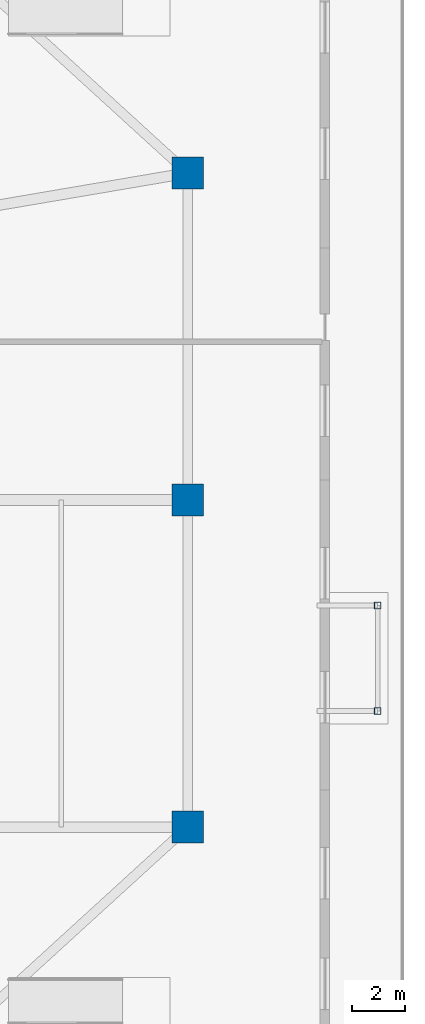
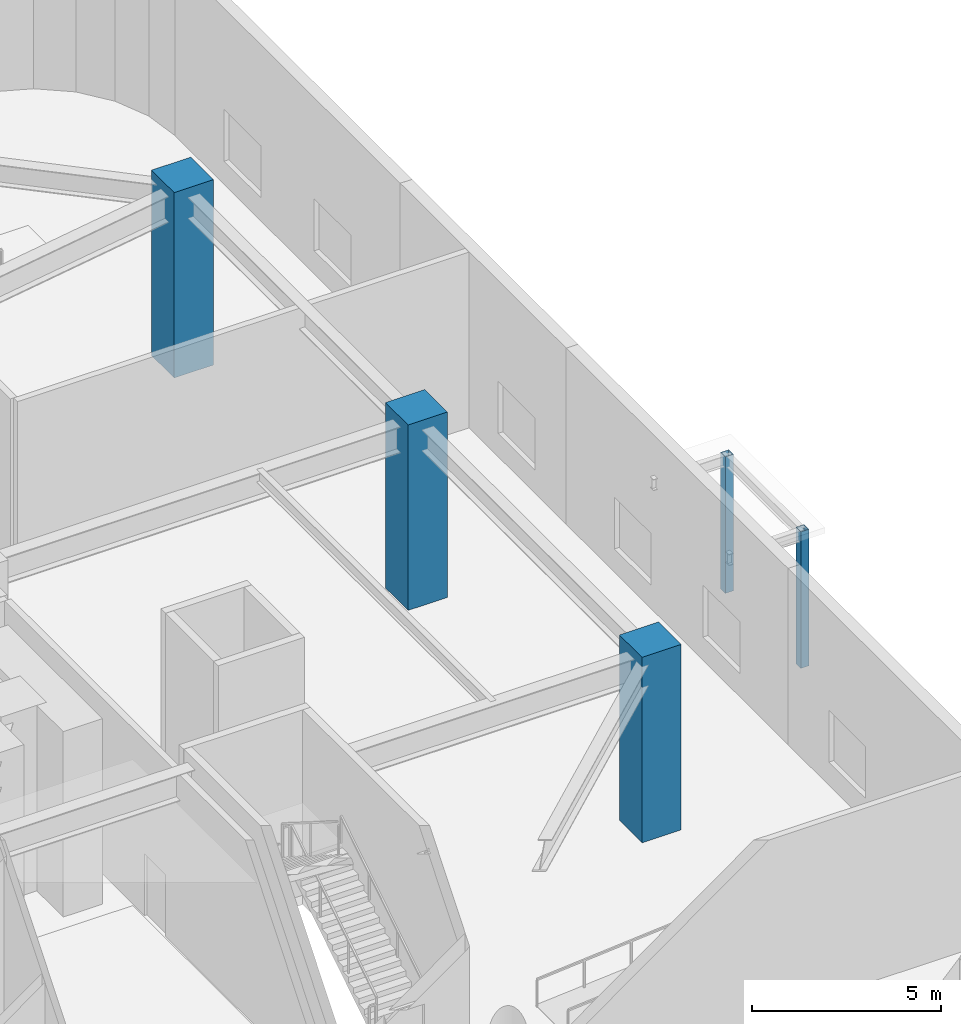
# One storey, part 5 of 21: 5 columns.
"""IFC4 building model written with IfcOpenShell, lengths in metres."""

from ifc_helpers import new_model, si_unit, direction, frame, origin, origin_2d, place, context, subcontext, project, spatial, rectangle, hollow_rectangle, extrude, material, material_profile, profile_set, type_object, element, save


model = new_model("IFC4")

# Units and contexts
model_context = context("Model", 3, precision=1e-05, world=origin(), true_north=direction((0.0, 1.0)))
body_context = subcontext(model_context, "Body", "Model", "MODEL_VIEW")
ifc_project = project(units=[si_unit("LENGTHUNIT", "METRE"), si_unit("AREAUNIT", "SQUARE_METRE"), si_unit("VOLUMEUNIT", "CUBIC_METRE"), si_unit("PLANEANGLEUNIT", "RADIAN"), si_unit("MASSUNIT", "GRAM", prefix="KILO")], contexts=[model_context])

# Site, building, storey
site_placement = place(None, origin())
site = spatial("IfcSite", under=ifc_project, at=site_placement, CompositionType="ELEMENT")
building_placement = place(site_placement, origin())
building = spatial("IfcBuilding", under=site, at=building_placement, Name="Haldorwick Loom Tower", CompositionType="ELEMENT")
storey_placement = place(building_placement, origin())
storey = spatial("IfcBuildingStorey", under=building, at=storey_placement, Name="L00", CompositionType="ELEMENT", Elevation=0.0)

# Columns
ifc_material_1 = material(Name="Steel CSA G40.21 350W", Category="steel")
ifc_material_profile_1 = material_profile(ifc_material_1, hollow_rectangle(XDim=0.25390625, YDim=0.25390625, WallThickness=0.0126953125, at=origin_2d()), Name="HSS254X254X13", Category="steel")
ifc_profile_set_1 = profile_set([ifc_material_profile_1], Name="Steel CSA G40.21 350W")
column_type_1 = type_object("IfcColumnType", Name="STR-COL-CN254", PredefinedType="COLUMN", material=ifc_profile_set_1)
for number, where, z_axis, x_axis, name in (
    (1, (74.0, 18.0, 0.0), (0.0, 0.0, 1.0), (1.0, 0.0, 0.0), "L00 Entrance Canopy Column CN-E1-1"),
    (2, (74.0, 22.0, 0.0), (0.0, 0.0, 1.0), (1.0, 0.0, 0.0), "L00 Entrance Canopy Column CN-E1-2"),
):
    element("IfcColumn", number, at=place(storey_placement, frame(where, z_axis=z_axis, x_axis=x_axis)), inside=storey, type_object=column_type_1, Name=name, PredefinedType="COLUMN", context=body_context, shape_type="SweptSolid", body=[
        extrude(hollow_rectangle(XDim=0.25390625, YDim=0.25390625, WallThickness=0.0126953125, at=origin_2d()), origin(), (0.0, 0.0, 1.0), 4.419921875),
    ])
ifc_material_2 = material(Name="Concrete C60 (60 MPa)", Category="concrete")
ifc_material_profile_2 = material_profile(ifc_material_2, rectangle(XDim=1.199951171875, YDim=1.199951171875, at=origin_2d()), Name="RC1200X1200", Category="concrete")
ifc_profile_set_2 = profile_set([ifc_material_profile_2], Name="Concrete C60 (60 MPa)")
column_type_2 = type_object("IfcColumnType", Name="STR-COL-RC1200", PredefinedType="COLUMN", material=ifc_profile_set_2)
for number, where, z_axis, x_axis, name in (
    (3, (66.800048828125, 13.60009765625, 0.0), (0.0, 0.0, 1.0), (1.0, 0.0, 0.0), "L00 Podium Column PC-E1"),
    (4, (66.800048828125, 26.0, 0.0), (0.0, 0.0, 1.0), (1.0, 0.0, 0.0), "L00 Podium Column PC-E2"),
    (5, (66.800048828125, 38.39990234375, 0.0), (0.0, 0.0, 1.0), (1.0, 0.0, 0.0), "L00 Podium Column PC-E3"),
):
    element("IfcColumn", number, at=place(storey_placement, frame(where, z_axis=z_axis, x_axis=x_axis)), inside=storey, type_object=column_type_2, Name=name, PredefinedType="COLUMN", context=body_context, shape_type="SweptSolid", body=[
        extrude(rectangle(XDim=1.199951171875, YDim=1.199951171875, at=origin_2d()), origin(), (0.0, 0.0, 1.0), 6.0),
    ])

save(model, "model.ifc")
